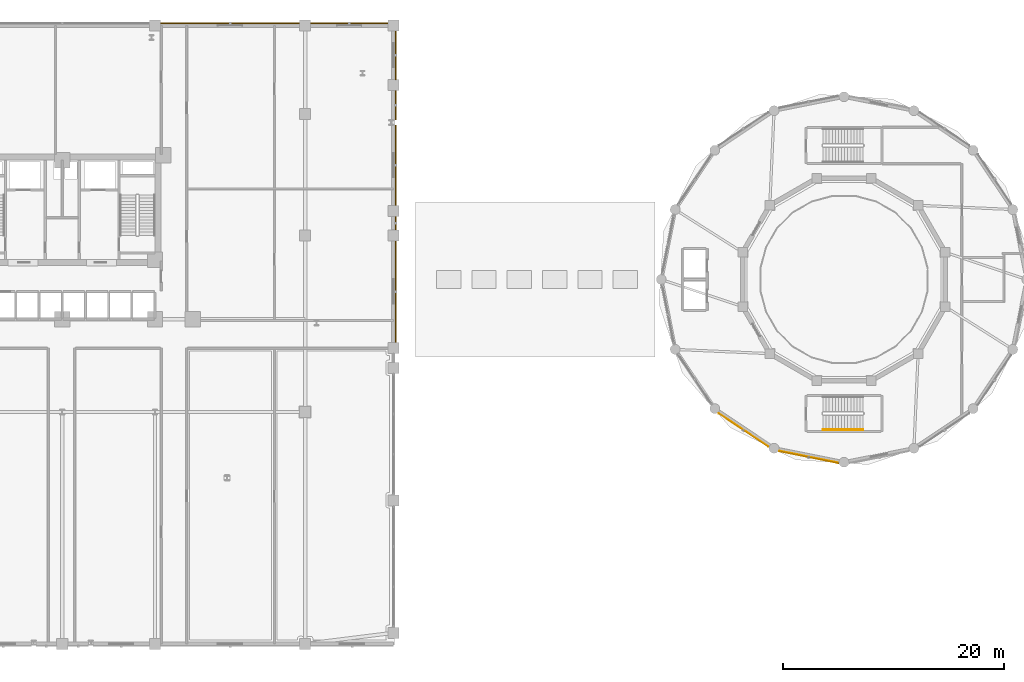
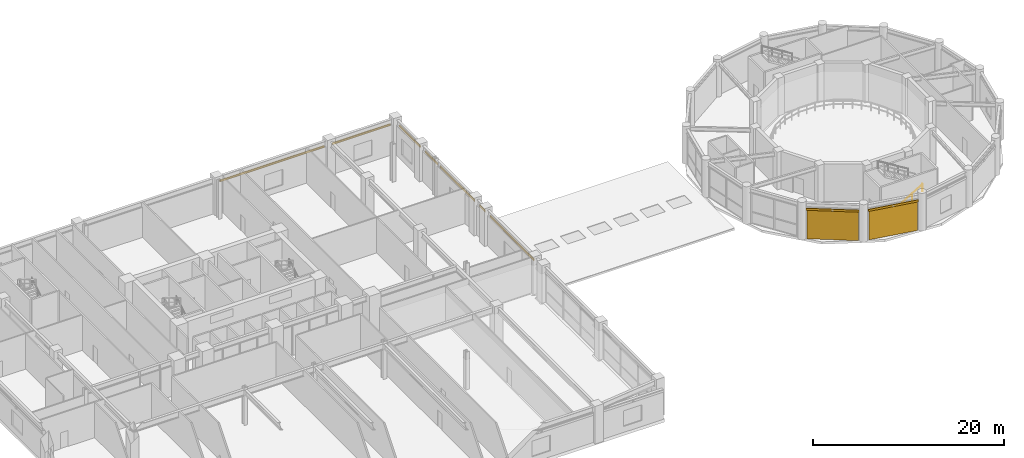
# One storey, part 30 of 34: 9 shading devices, 2 coverings, 1 railing.
"""IFC4 building model written with IfcOpenShell, lengths in metres."""

from ifc_helpers import new_model, si_unit, derived_unit, direction, frame, origin, origin_2d, place, context, subcontext, project, spatial, polyline, hollow_rectangle, circle, outline, extrude, source, transform, mapped, material, layer, layer_set, material_profile, profile_set, type_object, element, save


model = new_model("IFC4")

# Units and contexts
model_context = context("Model", 3, precision=1e-05, world=origin(), true_north=direction((0.0, 1.0)))
body_context = subcontext(model_context, "Body", "Model", "MODEL_VIEW")
ifc_project = project(units=[si_unit("LENGTHUNIT", "METRE"), si_unit("AREAUNIT", "SQUARE_METRE"), si_unit("VOLUMEUNIT", "CUBIC_METRE"), si_unit("PLANEANGLEUNIT", "RADIAN"), si_unit("MASSUNIT", "GRAM", prefix="KILO"), derived_unit("THERMALTRANSMITTANCEUNIT", [(si_unit("POWERUNIT", "WATT"), 1), (si_unit("LENGTHUNIT", "METRE"), -2), (si_unit("THERMODYNAMICTEMPERATUREUNIT", "KELVIN"), -1)])], contexts=[model_context])

# Site, building, storey
site_placement = place(None, origin())
site = spatial("IfcSite", under=ifc_project, at=site_placement, CompositionType="ELEMENT")
building_placement = place(site_placement, origin())
building = spatial("IfcBuilding", under=site, at=building_placement, Name="Korsvarv Bourse and Concert Hall", CompositionType="ELEMENT")
storey_placement = place(building_placement, frame((0.0, 0.0, 14.39990234375)))
storey = spatial("IfcBuildingStorey", under=building, at=storey_placement, Name="L03", CompositionType="ELEMENT", Elevation=14.39990234375)

# Coverings
ifc_material_1 = material(Name="Warm iron-oxide extruded terracotta rainscreen tile", Category="ceramic")
ifc_layer = layer(ifc_material_1, 0.044921875)
ifc_layer_set = layer_set([ifc_layer], Name="Warm iron-oxide extruded terracotta rainscreen tile")
covering_type = type_object("IfcCoveringType", Name="COV-CLD-TC", PredefinedType="CLADDING", material=ifc_layer_set)
covering_1_placement = place(storey_placement, origin())
element("IfcCovering", 1, at=covering_1_placement, inside=storey, type_object=covering_type, Name="L03 fluted terracotta cladding panel EW-L03-CHD11", PredefinedType="CLADDING", context=body_context, shape_type="SweptSolid", body=[
    extrude(outline(polyline([(95.46728515625, 23.887939453125), (99.94677734375, 20.894775390625), (99.921875, 20.857421875), (95.442138671875, 23.8505859375), (95.46728515625, 23.887939453125)])), origin(), (0.0, 0.0, 1.0), 3.630126953125),
])
covering_2_placement = place(storey_placement, origin())
element("IfcCovering", 2, at=covering_2_placement, inside=storey, type_object=covering_type, Name="L03 fluted terracotta cladding panel EW-L03-CHD12", PredefinedType="CLADDING", context=body_context, shape_type="SweptSolid", body=[
    extrude(outline(polyline([(100.965087890625, 20.472900390625), (106.248779296875, 19.422119140625), (106.239990234375, 19.3779296875), (100.956298828125, 20.428955078125), (100.965087890625, 20.472900390625)])), origin(), (0.0, 0.0, 1.0), 3.630126953125),
])

# Railing
ifc_material_2 = material(Name="Brushed stainless Steel S355 tubular handrail", Category="steel")
railing_type = type_object("IfcRailingType", Name="RL-ST-HND", PredefinedType="HANDRAIL", material=ifc_material_2)
railing_placement = place(storey_placement, frame((104.89990234375, 22.389892578125, 0.171630859375)))
element("IfcRailing", 3, at=railing_placement, inside=storey, type_object=railing_type, Name="L03 ST-CH2 stair handrail 1", PredefinedType="HANDRAIL", context=body_context, shape_type="SweptSolid", body=[
    extrude(circle(Radius=0.02392578125, at=origin_2d()), frame((0.0, 0.0, 0.8759765625), z_axis=(0.852865859571, 0.0, 0.52213008492), x_axis=(0.0, 1.0, 0.0)), (0.0, 0.0, 1.0), 4.26806640625),
    extrude(circle(Radius=0.02099609375, at=origin_2d()), origin(), (0.0, 0.0, 1.0), 0.851806640625),
    extrude(circle(Radius=0.02099609375, at=origin_2d()), frame((1.21337890625, 0.0, 0.742919921875)), (0.0, 0.0, 1.0), 0.851806640625),
    extrude(circle(Radius=0.02099609375, at=origin_2d()), frame((2.4267578125, 0.0, 1.485595703125)), (0.0, 0.0, 1.0), 0.851806640625),
    extrude(circle(Radius=0.02099609375, at=origin_2d()), frame((3.64013671875, 0.0, 2.228515625)), (0.0, 0.0, 1.0), 0.851806640625),
])

# Shading devices
ifc_material_3 = material(Name="Glazed extruded architectural terracotta", Category="ceramic")
ifc_material_profile = material_profile(ifc_material_3, hollow_rectangle(XDim=0.090087890625, YDim=0.260009765625, WallThickness=0.011962890625, at=origin_2d()), Name="TC-BAG 90x260")
ifc_profile_set = profile_set([ifc_material_profile], Name="Glazed extruded architectural terracotta")
shading_device_type = type_object("IfcShadingDeviceType", Name="SHD-BAG-1", PredefinedType="USERDEFINED", material=ifc_profile_set)
shared_shape_1 = source(origin(), body_context, "Body", "SweptSolid", [
    extrude(hollow_rectangle(XDim=0.090087890625, YDim=0.260009765625, WallThickness=0.011962890625, at=origin_2d()), origin(), (0.0, 0.0, 1.0), 12.590087890625),
])
shading_device_1_placement = place(storey_placement, frame((44.905029296875, 59.195068359375, 3.66015625), z_axis=(1.0, 0.0, 0.0), x_axis=(0.0, 1.0, 0.0)))
element("IfcShadingDevice", 4, at=shading_device_1_placement, inside=storey, type_object=shading_device_type, Name="L03 terracotta baguette sunshade EW-L03-N4", ObjectType="BAGUETTE", PredefinedType="USERDEFINED", context=body_context, shape_type="MappedRepresentation", body=[
    mapped(shared_shape_1, transform((0.0, 0.0, 0.0), scale=1.0)),
])
shared_shape_2 = source(origin(), body_context, "Body", "SweptSolid", [
    extrude(hollow_rectangle(XDim=0.090087890625, YDim=0.260009765625, WallThickness=0.011962890625, at=origin_2d()), origin(), (0.0, 0.0, 1.0), 6.990234375),
])
shading_device_2_placement = place(storey_placement, frame((58.5048828125, 59.195068359375, 3.66015625), z_axis=(1.0, 0.0, 0.0), x_axis=(0.0, 1.0, 0.0)))
element("IfcShadingDevice", 5, at=shading_device_2_placement, inside=storey, type_object=shading_device_type, Name="L03 terracotta baguette sunshade EW-L03-N5", ObjectType="BAGUETTE", PredefinedType="USERDEFINED", context=body_context, shape_type="MappedRepresentation", body=[
    mapped(shared_shape_2, transform((0.0, 0.0, 0.0), scale=1.0)),
])
shared_shape_3 = source(origin(), body_context, "Body", "SweptSolid", [
    extrude(hollow_rectangle(XDim=0.090087890625, YDim=0.260009765625, WallThickness=0.011962890625, at=origin_2d()), origin(), (0.0, 0.0, 1.0), 2.6357421875),
])
shading_device_3_placement = place(storey_placement, frame((66.195068359375, 50.459228515625, 3.66015625), z_axis=(0.0, 1.0, 0.0), x_axis=(-1.0, 0.0, 0.0)))
element("IfcShadingDevice", 6, at=shading_device_3_placement, inside=storey, type_object=shading_device_type, Name="L03 terracotta baguette sunshade EW-L03-E4-2", ObjectType="BAGUETTE", PredefinedType="USERDEFINED", context=body_context, shape_type="MappedRepresentation", body=[
    mapped(shared_shape_3, transform((0.0, 0.0, 0.0), scale=1.0)),
])
shared_shape_4 = source(origin(), body_context, "Body", "SweptSolid", [
    extrude(hollow_rectangle(XDim=0.090087890625, YDim=0.260009765625, WallThickness=0.011962890625, at=origin_2d()), origin(), (0.0, 0.0, 1.0), 4.39013671875),
])
shading_device_4_placement = place(storey_placement, frame((66.195068359375, 54.10498046875, 3.66015625), z_axis=(0.0, 1.0, 0.0), x_axis=(-1.0, 0.0, 0.0)))
element("IfcShadingDevice", 7, at=shading_device_4_placement, inside=storey, type_object=shading_device_type, Name="L03 terracotta baguette sunshade EW-L03-E5", ObjectType="BAGUETTE", PredefinedType="USERDEFINED", context=body_context, shape_type="MappedRepresentation", body=[
    mapped(shared_shape_4, transform((0.0, 0.0, 0.0), scale=1.0)),
])
shared_shape_5 = source(origin(), body_context, "Body", "SweptSolid", [
    extrude(hollow_rectangle(XDim=0.090087890625, YDim=0.260009765625, WallThickness=0.011962890625, at=origin_2d()), origin(), (0.0, 0.0, 1.0), 7.27001953125),
])
shading_device_5_placement = place(storey_placement, frame((66.195068359375, 42.705078125, 3.66015625), z_axis=(0.0, 1.0, 0.0), x_axis=(-1.0, 0.0, 0.0)))
element("IfcShadingDevice", 8, at=shading_device_5_placement, inside=storey, type_object=shading_device_type, Name="L03 terracotta baguette sunshade EW-L03-E4-1", ObjectType="BAGUETTE", PredefinedType="USERDEFINED", context=body_context, shape_type="MappedRepresentation", body=[
    mapped(shared_shape_5, transform((0.0, 0.0, 0.0), scale=1.0)),
])
shared_shape_6 = source(origin(), body_context, "Body", "SweptSolid", [
    extrude(hollow_rectangle(XDim=0.090087890625, YDim=0.260009765625, WallThickness=0.011962890625, at=origin_2d()), origin(), (0.0, 0.0, 1.0), 5.54736328125),
])
shading_device_6_placement = place(storey_placement, frame((100.87890625, 20.449462890625, 3.7900390625), z_axis=(0.980783277025, -0.195100393406, 0.0), x_axis=(0.195100393406, 0.980783277025, 0.0)))
element("IfcShadingDevice", 9, at=shading_device_6_placement, inside=storey, type_object=shading_device_type, Name="L03 terracotta baguette sunshade EW-L03-CHD12", ObjectType="BAGUETTE", PredefinedType="USERDEFINED", context=body_context, shape_type="MappedRepresentation", body=[
    mapped(shared_shape_6, transform((0.0, 0.0, 0.0), scale=1.0)),
])
shared_shape_7 = source(origin(), body_context, "Body", "SweptSolid", [
    extrude(hollow_rectangle(XDim=0.090087890625, YDim=0.260009765625, WallThickness=0.011962890625, at=origin_2d()), origin(), (0.0, 0.0, 1.0), 9.190185546875),
])
shading_device_7_placement = place(storey_placement, frame((66.195068359375, 30.304931640625, 3.66015625), z_axis=(0.0, 1.0, 0.0), x_axis=(-1.0, 0.0, 0.0)))
element("IfcShadingDevice", 10, at=shading_device_7_placement, inside=storey, type_object=shading_device_type, Name="L03 terracotta baguette sunshade EW-L03-E3-1", ObjectType="BAGUETTE", PredefinedType="USERDEFINED", context=body_context, shape_type="MappedRepresentation", body=[
    mapped(shared_shape_7, transform((0.0, 0.0, 0.0), scale=1.0)),
])
shared_shape_8 = source(origin(), body_context, "Body", "SweptSolid", [
    extrude(hollow_rectangle(XDim=0.090087890625, YDim=0.260009765625, WallThickness=0.011962890625, at=origin_2d()), origin(), (0.0, 0.0, 1.0), 1.190185546875),
])
shading_device_8_placement = place(storey_placement, frame((66.195068359375, 40.5048828125, 3.66015625), z_axis=(0.0, 1.0, 0.0), x_axis=(-1.0, 0.0, 0.0)))
element("IfcShadingDevice", 11, at=shading_device_8_placement, inside=storey, type_object=shading_device_type, Name="L03 terracotta baguette sunshade EW-L03-E3-2", ObjectType="BAGUETTE", PredefinedType="USERDEFINED", context=body_context, shape_type="MappedRepresentation", body=[
    mapped(shared_shape_8, transform((0.0, 0.0, 0.0), scale=1.0)),
])
shared_shape_9 = source(origin(), body_context, "Body", "SweptSolid", [
    extrude(hollow_rectangle(XDim=0.090087890625, YDim=0.260009765625, WallThickness=0.011962890625, at=origin_2d()), origin(), (0.0, 0.0, 1.0), 5.547607421875),
])
shading_device_9_placement = place(storey_placement, frame((95.37841796875, 23.899169921875, 3.7900390625), z_axis=(0.831481142367, -0.555552976672, 0.0), x_axis=(0.555552976672, 0.831481142367, 0.0)))
element("IfcShadingDevice", 12, at=shading_device_9_placement, inside=storey, type_object=shading_device_type, Name="L03 terracotta baguette sunshade EW-L03-CHD11", ObjectType="BAGUETTE", PredefinedType="USERDEFINED", context=body_context, shape_type="MappedRepresentation", body=[
    mapped(shared_shape_9, transform((0.0, 0.0, 0.0), scale=1.0)),
])

save(model, "model.ifc")
